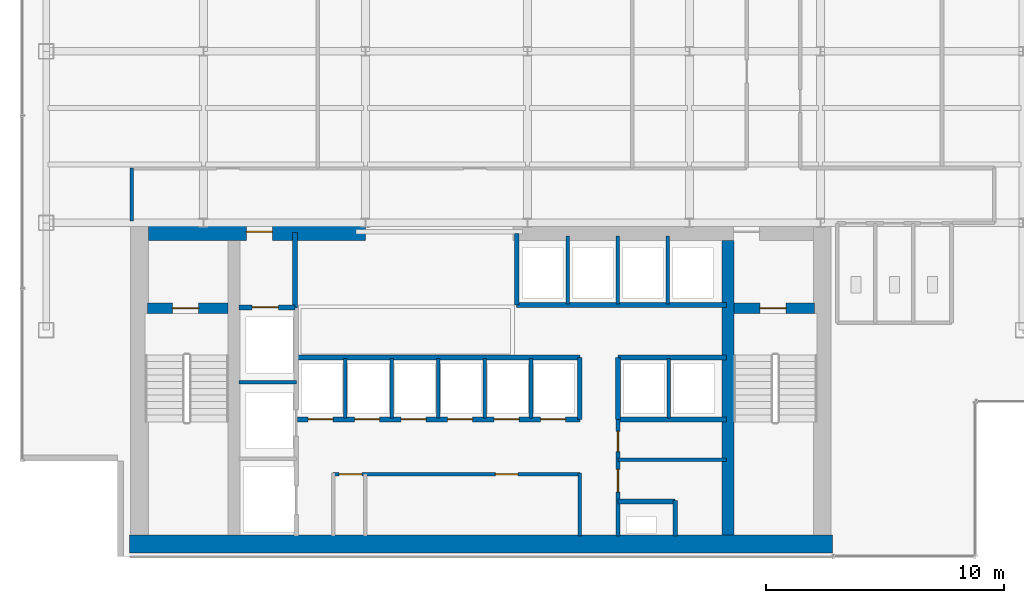
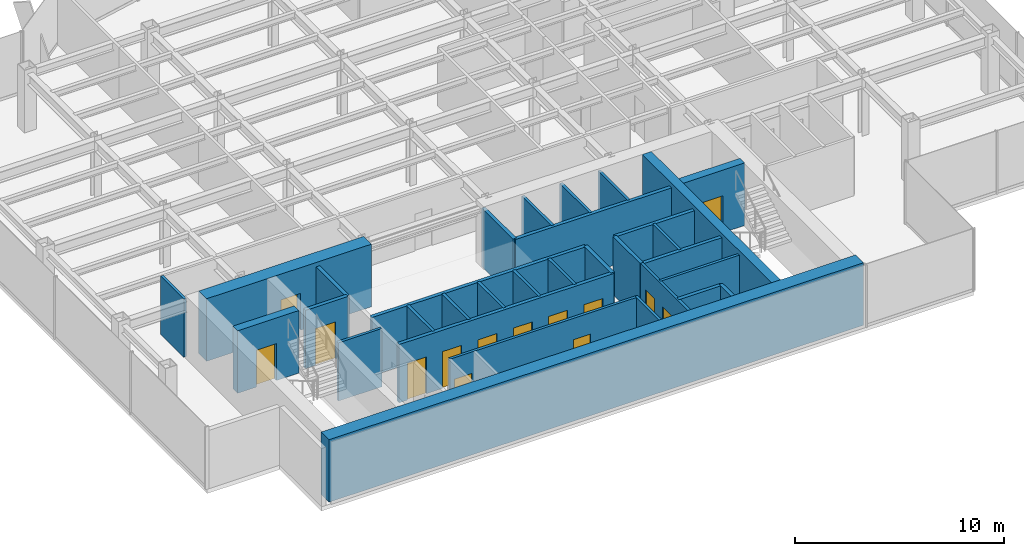
# One storey, part 20 of 25: 32 walls, 14 doors, 14 openings.
"""IFC4 building model written with IfcOpenShell, lengths in metres."""

from ifc_helpers import new_model, si_unit, derived_unit, direction, frame, frame_2d, origin, place, context, subcontext, project, spatial, rectangle, extrude, source, transform, mapped, material, layer, layer_set, type_object, element, fill, save


model = new_model("IFC4")

# Units and contexts
model_context = context("Model", 3, precision=1e-05, world=origin(), true_north=direction((0.0, 1.0)))
body_context = subcontext(model_context, "Body", "Model", "MODEL_VIEW")
ifc_project = project(units=[si_unit("LENGTHUNIT", "METRE"), si_unit("AREAUNIT", "SQUARE_METRE"), si_unit("VOLUMEUNIT", "CUBIC_METRE"), si_unit("PLANEANGLEUNIT", "RADIAN"), si_unit("MASSUNIT", "GRAM", prefix="KILO"), derived_unit("THERMALTRANSMITTANCEUNIT", [(si_unit("POWERUNIT", "WATT"), 1), (si_unit("LENGTHUNIT", "METRE"), -2), (si_unit("THERMODYNAMICTEMPERATUREUNIT", "KELVIN"), -1)])], contexts=[model_context])

# Site, building, storey
site_placement = place(None, origin())
site = spatial("IfcSite", under=ifc_project, at=site_placement, CompositionType="ELEMENT")
building_placement = place(site_placement, origin())
building = spatial("IfcBuilding", under=site, at=building_placement, Name="Skarnbrae Concourse Arena and Tower", CompositionType="ELEMENT")
storey_placement = place(building_placement, frame((0.0, 0.0, 166.14990234375)))
storey = spatial("IfcBuildingStorey", under=building, at=storey_placement, Name="L42", CompositionType="ELEMENT", Elevation=166.14990234375)

# Wall, opening, door
ifc_material_1 = material(Name="Concrete 50 MPa (C50/60)", Category="concrete")
ifc_layer_1 = layer(ifc_material_1, 0.449951171875)
ifc_layer_set_1 = layer_set([ifc_layer_1], Name="Concrete 50 MPa (C50/60)")
wall_type_1 = type_object("IfcWallType", Name="WALL-CORE-450-C50", PredefinedType="SHEAR", material=ifc_layer_set_1)
shared_shape_1 = source(origin(), body_context, "Body", "SweptSolid", [
    extrude(rectangle(XDim=3.389892578125, YDim=0.449951171875, at=frame_2d((1.69482421875, 0.0))), origin(), (0.0, 0.0, 1.0), 3.650146484375),
])
wall_1_placement = place(storey_placement, frame((5.25, 10.419921875, 0.0), z_axis=(0.0, 0.0, 1.0), x_axis=(1.0, 0.0, 0.0)))
wall_1 = element("IfcWall", 1, at=wall_1_placement, inside=storey, type_object=wall_type_1, Name="L42 Rear core shear wall CW-ST1-N", PredefinedType="SHEAR", context=body_context, shape_type="MappedRepresentation", body=[
    mapped(shared_shape_1, transform((0.0, 0.0, 0.0))),
])
opening_1_placement = place(wall_1_placement, frame((1.050048828125, 0.0, 0.0)))
opening_1 = element("IfcOpeningElement", 2, at=opening_1_placement, cuts=wall_1, Name="Opening DT-03", PredefinedType="OPENING", context=body_context, shape_type="SweptSolid", body=[
    extrude(rectangle(XDim=1.10009765625, YDim=2.14990234375, at=frame_2d((0.550048828125, 1.074951171875))), frame((0.0, 0.23486328125, 0.0), z_axis=(0.0, -1.0, 0.0), x_axis=(1.0, 0.0, 0.0)), (0.0, 0.0, 1.0), 0.469970703125),
])
ifc_material_2 = material(Name="Steel CSA G40.21 350W", Category="steel")
door_type_1 = type_object("IfcDoorType", Name="DOOR-FIRE-1100-90M", OperationType="NOTDEFINED", PredefinedType="DOOR", material=ifc_material_2)
shared_shape_2 = source(origin(), body_context, "Body", "SweptSolid", [
    extrude(rectangle(XDim=1.10009765625, YDim=2.14990234375, at=frame_2d((0.550048828125, 1.074951171875))), frame((0.0, 0.02490234375, 0.0), z_axis=(0.0, -1.0, 0.0), x_axis=(1.0, 0.0, 0.0)), (0.0, 0.0, 1.0), 0.050048828125),
])
door_1_placement = place(opening_1_placement, frame((1.10009765625, 0.0, 0.0), z_axis=(0.0, 0.0, 1.0), x_axis=(-1.0, 0.0, 0.0)))
door_1 = element("IfcDoor", 3, at=door_1_placement, inside=storey, type_object=door_type_1, Name="D-1293 Stair ST-1 Door", OperationType="SINGLE_SWING_LEFT", OverallHeight=2.14990234375, OverallWidth=1.10009765625, PredefinedType="DOOR", context=body_context, shape_type="MappedRepresentation", body=[
    mapped(shared_shape_2, transform((0.0, 0.0, 0.0))),
])
fill(opening_1, door_1)

wall_2_placement = place(storey_placement, frame((29.860107421875, 10.419921875, 0.0), z_axis=(0.0, 0.0, 1.0), x_axis=(1.0, 0.0, 0.0)))
wall_2 = element("IfcWall", 4, at=wall_2_placement, inside=storey, type_object=wall_type_1, Name="L42 Rear core shear wall CW-ST2-N", PredefinedType="SHEAR", context=body_context, shape_type="MappedRepresentation", body=[
    mapped(shared_shape_1, transform((0.0, 0.0, 0.0))),
])
opening_2_placement = place(wall_2_placement, frame((1.10009765625, 0.0, 0.0)))
opening_2 = element("IfcOpeningElement", 5, at=opening_2_placement, cuts=wall_2, Name="Opening DT-03", PredefinedType="OPENING", context=body_context, shape_type="SweptSolid", body=[
    extrude(rectangle(XDim=1.10009765625, YDim=2.14990234375, at=frame_2d((0.550048828125, 1.074951171875))), frame((0.0, 0.23486328125, 0.0), z_axis=(0.0, -1.0, 0.0), x_axis=(1.0, 0.0, 0.0)), (0.0, 0.0, 1.0), 0.469970703125),
])
door_2_placement = place(opening_2_placement, frame((1.10009765625, 0.0, 0.0), z_axis=(0.0, 0.0, 1.0), x_axis=(-1.0, 0.0, 0.0)))
door_2 = element("IfcDoor", 6, at=door_2_placement, inside=storey, type_object=door_type_1, Name="D-1294 Stair ST-2 Door", OperationType="SINGLE_SWING_RIGHT", OverallHeight=2.14990234375, OverallWidth=1.10009765625, PredefinedType="DOOR", context=body_context, shape_type="MappedRepresentation", body=[
    mapped(shared_shape_2, transform((0.0, 0.0, 0.0))),
])
fill(opening_2, door_2)

# Wall
ifc_material_3 = material(Name="Concrete 60 MPa (C60/75)", Category="concrete")
ifc_layer_2 = layer(ifc_material_3, 0.75)
ifc_layer_set_2 = layer_set([ifc_layer_2], Name="Concrete 60 MPa (C60/75)")
wall_type_2 = type_object("IfcWallType", Name="WALL-CORE-750-C60", PredefinedType="SHEAR", material=ifc_layer_set_2)
shared_shape_3 = source(origin(), body_context, "Body", "SweptSolid", [
    extrude(rectangle(XDim=29.5, YDim=0.75, at=frame_2d((14.75, 0.0))), origin(), (0.0, 0.0, 1.0), 3.650146484375),
])
wall_3_placement = place(storey_placement, frame((4.5, 0.52490234375, 0.0), z_axis=(0.0, 0.0, 1.0), x_axis=(1.0, 0.0, 0.0)))
element("IfcWall", 7, at=wall_3_placement, inside=storey, type_object=wall_type_2, Name="L42 Rear core shear wall CW-S", PredefinedType="SHEAR", context=body_context, shape_type="MappedRepresentation", body=[
    mapped(shared_shape_3, transform((0.0, 0.0, 0.0))),
])

# Wall, opening, door
shared_shape_4 = source(origin(), body_context, "Body", "SweptSolid", [
    extrude(rectangle(XDim=9.099853515625, YDim=0.75, at=frame_2d((4.5498046875, 0.0))), origin(), (0.0, 0.0, 1.0), 3.650146484375),
])
wall_4_placement = place(storey_placement, frame((5.300048828125, 13.625, 0.0), z_axis=(0.0, 0.0, 1.0), x_axis=(1.0, 0.0, 0.0)))
wall_4 = element("IfcWall", 8, at=wall_4_placement, inside=storey, type_object=wall_type_2, Name="L42 Rear core shear wall CW-NW", PredefinedType="SHEAR", context=body_context, shape_type="MappedRepresentation", body=[
    mapped(shared_shape_4, transform((0.0, 0.0, 0.0))),
])
opening_3_placement = place(wall_4_placement, frame((4.10009765625, 0.0, 0.0)))
opening_3 = element("IfcOpeningElement", 9, at=opening_3_placement, cuts=wall_4, Name="Opening DT-03", PredefinedType="OPENING", context=body_context, shape_type="SweptSolid", body=[
    extrude(rectangle(XDim=1.10009765625, YDim=2.14990234375, at=frame_2d((0.550048828125, 1.074951171875))), frame((0.0, 0.385009765625, 0.0), z_axis=(0.0, -1.0, 0.0), x_axis=(1.0, 0.0, 0.0)), (0.0, 0.0, 1.0), 0.77001953125),
])
door_3_placement = place(opening_3_placement, origin())
door_3 = element("IfcDoor", 10, at=door_3_placement, inside=storey, type_object=door_type_1, Name="D-1295 Firefighting Lobby Exit Door", OperationType="SINGLE_SWING_RIGHT", OverallHeight=2.14990234375, OverallWidth=1.10009765625, PredefinedType="DOOR", context=body_context, shape_type="MappedRepresentation", body=[
    mapped(shared_shape_2, transform((0.0, 0.0, 0.0))),
])
fill(opening_3, door_3)

# Walls
ifc_layer_3 = layer(ifc_material_3, 0.5)
ifc_layer_set_3 = layer_set([ifc_layer_3], Name="Concrete 60 MPa (C60/75)")
wall_type_3 = type_object("IfcWallType", Name="WALL-CORE-500-C60", PredefinedType="SHEAR", material=ifc_layer_set_3)
shared_shape_5 = source(origin(), body_context, "Body", "SweptSolid", [
    extrude(rectangle(XDim=12.35009765625, YDim=0.5, at=frame_2d((6.175048828125, 0.0))), origin(), (0.0, 0.0, 1.0), 3.650146484375),
])
wall_5_placement = place(storey_placement, frame((29.610107421875, 0.89990234375, 0.0), z_axis=(0.0, 0.0, 1.0), x_axis=(0.0, 1.0, 0.0)))
element("IfcWall", 11, at=wall_5_placement, inside=storey, type_object=wall_type_3, Name="L42 Rear core shear wall CW-WEB-E", PredefinedType="SHEAR", context=body_context, shape_type="MappedRepresentation", body=[
    mapped(shared_shape_5, transform((0.0, 0.0, 0.0))),
])
ifc_material_4 = material(Name="Gypsum board on cold-formed steel studs", Category="steel")
ifc_layer_4 = layer(ifc_material_4, 0.199951171875)
ifc_layer_set_4 = layer_set([ifc_layer_4], Name="Gypsum board on cold-formed steel studs")
wall_type_4 = type_object("IfcWallType", Name="WALL-PART-200-2HR", PredefinedType="PARTITIONING", material=ifc_layer_set_4)
shared_shape_6 = source(origin(), body_context, "Body", "SweptSolid", [
    extrude(rectangle(XDim=3.18017578125, YDim=0.199951171875, at=frame_2d((1.590087890625, 0.0))), origin(), (0.0, 0.0, 1.0), 3.400146484375),
])
wall_6_placement = place(storey_placement, frame((11.449951171875, 10.419921875, 0.0), z_axis=(0.0, 0.0, 1.0), x_axis=(0.0, 1.0, 0.0)))
element("IfcWall", 12, at=wall_6_placement, inside=storey, type_object=wall_type_4, Name="L42 Interior partition wall W-L42-FFL-E", PredefinedType="PARTITIONING", context=body_context, shape_type="MappedRepresentation", body=[
    mapped(shared_shape_6, transform((0.0, 0.0, 0.0))),
])

# Wall, opening, door
shared_shape_7 = source(origin(), body_context, "Body", "SweptSolid", [
    extrude(rectangle(XDim=2.349853515625, YDim=0.199951171875, at=frame_2d((1.1748046875, 0.0))), origin(), (0.0, 0.0, 1.0), 3.400146484375),
])
wall_7_placement = place(storey_placement, frame((9.10009765625, 10.449951171875, 0.0), z_axis=(0.0, 0.0, 1.0), x_axis=(1.0, 0.0, 0.0)))
wall_7 = element("IfcWall", 13, at=wall_7_placement, inside=storey, type_object=wall_type_4, Name="L42 Interior partition wall W-L42-FL1-N", PredefinedType="PARTITIONING", context=body_context, shape_type="MappedRepresentation", body=[
    mapped(shared_shape_7, transform((0.0, 0.0, 0.0))),
])
opening_4_placement = place(wall_7_placement, frame((0.550048828125, 0.0, 0.0)))
opening_4 = element("IfcOpeningElement", 14, at=opening_4_placement, cuts=wall_7, Name="Opening LD-01", PredefinedType="OPENING", context=body_context, shape_type="SweptSolid", body=[
    extrude(rectangle(XDim=1.10009765625, YDim=2.14990234375, at=frame_2d((0.550048828125, 1.074951171875))), frame((0.0, 0.10986328125, 0.0), z_axis=(0.0, -1.0, 0.0), x_axis=(1.0, 0.0, 0.0)), (0.0, 0.0, 1.0), 0.219970703125),
])
door_type_2 = type_object("IfcDoorType", Name="DOOR-LIFT-SLIDE-1100", OperationType="SLIDING_TO_LEFT", PredefinedType="DOOR", material=ifc_material_2)
door_4_placement = place(opening_4_placement, origin())
door_4 = element("IfcDoor", 15, at=door_4_placement, inside=storey, type_object=door_type_2, Name="D-1297 Firefighting Lift Landing Door FL-01", OperationType="SLIDING_TO_LEFT", OverallHeight=2.14990234375, OverallWidth=1.10009765625, PredefinedType="DOOR", context=body_context, shape_type="MappedRepresentation", body=[
    mapped(shared_shape_2, transform((0.0, 0.0, 0.0))),
])
fill(opening_4, door_4)

# Wall
ifc_layer_5 = layer(ifc_material_4, 0.14990234375)
ifc_layer_set_5 = layer_set([ifc_layer_5], Name="Gypsum board on cold-formed steel studs")
wall_type_5 = type_object("IfcWallType", Name="WALL-PART-150", PredefinedType="PARTITIONING", material=ifc_layer_set_5)
shared_shape_8 = source(origin(), body_context, "Body", "SweptSolid", [
    extrude(rectangle(XDim=2.39990234375, YDim=0.14990234375, at=frame_2d((1.199951171875, 0.0))), origin(), (0.0, 0.0, 1.0), 3.400146484375),
])
wall_8_placement = place(storey_placement, frame((9.10009765625, 7.300048828125, 0.0), z_axis=(0.0, 0.0, 1.0), x_axis=(1.0, 0.0, 0.0)))
element("IfcWall", 16, at=wall_8_placement, inside=storey, type_object=wall_type_5, Name="L42 Interior partition wall W-L42-FL-D2", PredefinedType="PARTITIONING", context=body_context, shape_type="MappedRepresentation", body=[
    mapped(shared_shape_8, transform((0.0, 0.0, 0.0))),
])

# Wall, openings, doors
shared_shape_9 = source(origin(), body_context, "Body", "SweptSolid", [
    extrude(rectangle(XDim=11.849853515625, YDim=0.199951171875, at=frame_2d((5.9248046875, 0.0))), origin(), (0.0, 0.0, 1.0), 3.400146484375),
])
wall_9_placement = place(storey_placement, frame((11.550048828125, 5.75, 0.0), z_axis=(0.0, 0.0, 1.0), x_axis=(1.0, 0.0, 0.0)))
wall_9 = element("IfcWall", 17, at=wall_9_placement, inside=storey, type_object=wall_type_4, Name="L42 Interior partition wall W-L42-B2-S", PredefinedType="PARTITIONING", context=body_context, shape_type="MappedRepresentation", body=[
    mapped(shared_shape_9, transform((0.0, 0.0, 0.0))),
])
opening_5_placement = place(wall_9_placement, frame((0.449951171875, 0.0, 0.0)))
opening_5 = element("IfcOpeningElement", 18, at=opening_5_placement, cuts=wall_9, Name="Opening LD-03", PredefinedType="OPENING", context=body_context, shape_type="SweptSolid", body=[
    extrude(rectangle(XDim=1.050048828125, YDim=2.14990234375, at=frame_2d((0.52490234375, 1.074951171875))), frame((0.0, 0.10986328125, 0.0), z_axis=(0.0, -1.0, 0.0), x_axis=(1.0, 0.0, 0.0)), (0.0, 0.0, 1.0), 0.219970703125),
])
opening_6_placement = place(wall_9_placement, frame((2.39990234375, 0.0, 0.0)))
opening_6 = element("IfcOpeningElement", 19, at=opening_6_placement, cuts=wall_9, Name="Opening LD-03", PredefinedType="OPENING", context=body_context, shape_type="SweptSolid", body=[
    extrude(rectangle(XDim=1.050048828125, YDim=2.14990234375, at=frame_2d((0.52490234375, 1.074951171875))), frame((0.0, 0.10986328125, 0.0), z_axis=(0.0, -1.0, 0.0), x_axis=(1.0, 0.0, 0.0)), (0.0, 0.0, 1.0), 0.219970703125),
])
opening_7_placement = place(wall_9_placement, frame((4.35009765625, 0.0, 0.0)))
opening_7 = element("IfcOpeningElement", 20, at=opening_7_placement, cuts=wall_9, Name="Opening LD-03", PredefinedType="OPENING", context=body_context, shape_type="SweptSolid", body=[
    extrude(rectangle(XDim=1.050048828125, YDim=2.14990234375, at=frame_2d((0.52490234375, 1.074951171875))), frame((0.0, 0.10986328125, 0.0), z_axis=(0.0, -1.0, 0.0), x_axis=(1.0, 0.0, 0.0)), (0.0, 0.0, 1.0), 0.219970703125),
])
opening_8_placement = place(wall_9_placement, frame((6.300048828125, 0.0, 0.0)))
opening_8 = element("IfcOpeningElement", 21, at=opening_8_placement, cuts=wall_9, Name="Opening LD-03", PredefinedType="OPENING", context=body_context, shape_type="SweptSolid", body=[
    extrude(rectangle(XDim=1.050048828125, YDim=2.14990234375, at=frame_2d((0.52490234375, 1.074951171875))), frame((0.0, 0.10986328125, 0.0), z_axis=(0.0, -1.0, 0.0), x_axis=(1.0, 0.0, 0.0)), (0.0, 0.0, 1.0), 0.219970703125),
])
opening_9_placement = place(wall_9_placement, frame((8.25, 0.0, 0.0)))
opening_9 = element("IfcOpeningElement", 22, at=opening_9_placement, cuts=wall_9, Name="Opening LD-03", PredefinedType="OPENING", context=body_context, shape_type="SweptSolid", body=[
    extrude(rectangle(XDim=1.050048828125, YDim=2.14990234375, at=frame_2d((0.52490234375, 1.074951171875))), frame((0.0, 0.10986328125, 0.0), z_axis=(0.0, -1.0, 0.0), x_axis=(1.0, 0.0, 0.0)), (0.0, 0.0, 1.0), 0.219970703125),
])
opening_10_placement = place(wall_9_placement, frame((10.199951171875, 0.0, 0.0)))
opening_10 = element("IfcOpeningElement", 23, at=opening_10_placement, cuts=wall_9, Name="Opening LD-03", PredefinedType="OPENING", context=body_context, shape_type="SweptSolid", body=[
    extrude(rectangle(XDim=1.050048828125, YDim=2.14990234375, at=frame_2d((0.52490234375, 1.074951171875))), frame((0.0, 0.10986328125, 0.0), z_axis=(0.0, -1.0, 0.0), x_axis=(1.0, 0.0, 0.0)), (0.0, 0.0, 1.0), 0.219970703125),
])
ifc_material_5 = material(Name="Bronze anodised aluminium 6063-T6", Category="aluminium")
door_type_3 = type_object("IfcDoorType", Name="DOOR-LIFT-SLIDE-1050", OperationType="SLIDING_TO_LEFT", PredefinedType="DOOR", material=ifc_material_5)
shared_shape_10 = source(origin(), body_context, "Body", "SweptSolid", [
    extrude(rectangle(XDim=1.050048828125, YDim=2.14990234375, at=frame_2d((0.52490234375, 1.074951171875))), frame((0.0, 0.02490234375, 0.0), z_axis=(0.0, -1.0, 0.0), x_axis=(1.0, 0.0, 0.0)), (0.0, 0.0, 1.0), 0.050048828125),
])
door_5_placement = place(opening_5_placement, frame((1.050048828125, 0.0, 0.0), z_axis=(0.0, 0.0, 1.0), x_axis=(-1.0, 0.0, 0.0)))
door_5 = element("IfcDoor", 24, at=door_5_placement, inside=storey, type_object=door_type_3, Name="D-1302 Passenger Lift Landing Door PL-2A", OperationType="SLIDING_TO_LEFT", OverallHeight=2.14990234375, OverallWidth=1.050048828125, PredefinedType="DOOR", context=body_context, shape_type="MappedRepresentation", body=[
    mapped(shared_shape_10, transform((0.0, 0.0, 0.0))),
])
fill(opening_5, door_5)
door_6_placement = place(opening_6_placement, frame((1.050048828125, 0.0, 0.0), z_axis=(0.0, 0.0, 1.0), x_axis=(-1.0, 0.0, 0.0)))
door_6 = element("IfcDoor", 25, at=door_6_placement, inside=storey, type_object=door_type_3, Name="D-1303 Passenger Lift Landing Door PL-2B", OperationType="SLIDING_TO_LEFT", OverallHeight=2.14990234375, OverallWidth=1.050048828125, PredefinedType="DOOR", context=body_context, shape_type="MappedRepresentation", body=[
    mapped(shared_shape_10, transform((0.0, 0.0, 0.0))),
])
fill(opening_6, door_6)
door_7_placement = place(opening_7_placement, frame((1.050048828125, 0.0, 0.0), z_axis=(0.0, 0.0, 1.0), x_axis=(-1.0, 0.0, 0.0)))
door_7 = element("IfcDoor", 26, at=door_7_placement, inside=storey, type_object=door_type_3, Name="D-1304 Passenger Lift Landing Door PL-2C", OperationType="SLIDING_TO_LEFT", OverallHeight=2.14990234375, OverallWidth=1.050048828125, PredefinedType="DOOR", context=body_context, shape_type="MappedRepresentation", body=[
    mapped(shared_shape_10, transform((0.0, 0.0, 0.0))),
])
fill(opening_7, door_7)
door_8_placement = place(opening_8_placement, frame((1.050048828125, 0.0, 0.0), z_axis=(0.0, 0.0, 1.0), x_axis=(-1.0, 0.0, 0.0)))
door_8 = element("IfcDoor", 27, at=door_8_placement, inside=storey, type_object=door_type_3, Name="D-1305 Passenger Lift Landing Door PL-2D", OperationType="SLIDING_TO_LEFT", OverallHeight=2.14990234375, OverallWidth=1.050048828125, PredefinedType="DOOR", context=body_context, shape_type="MappedRepresentation", body=[
    mapped(shared_shape_10, transform((0.0, 0.0, 0.0))),
])
fill(opening_8, door_8)
door_9_placement = place(opening_9_placement, frame((1.050048828125, 0.0, 0.0), z_axis=(0.0, 0.0, 1.0), x_axis=(-1.0, 0.0, 0.0)))
door_9 = element("IfcDoor", 28, at=door_9_placement, inside=storey, type_object=door_type_3, Name="D-1306 Passenger Lift Landing Door PL-2E", OperationType="SLIDING_TO_LEFT", OverallHeight=2.14990234375, OverallWidth=1.050048828125, PredefinedType="DOOR", context=body_context, shape_type="MappedRepresentation", body=[
    mapped(shared_shape_10, transform((0.0, 0.0, 0.0))),
])
fill(opening_9, door_9)
door_10_placement = place(opening_10_placement, frame((1.050048828125, 0.0, 0.0), z_axis=(0.0, 0.0, 1.0), x_axis=(-1.0, 0.0, 0.0)))
door_10 = element("IfcDoor", 29, at=door_10_placement, inside=storey, type_object=door_type_3, Name="D-1307 Passenger Lift Landing Door PL-2F", OperationType="SLIDING_TO_LEFT", OverallHeight=2.14990234375, OverallWidth=1.050048828125, PredefinedType="DOOR", context=body_context, shape_type="MappedRepresentation", body=[
    mapped(shared_shape_10, transform((0.0, 0.0, 0.0))),
])
fill(opening_10, door_10)

# Walls
wall_10_placement = place(storey_placement, frame((11.550048828125, 8.35009765625, 0.0), z_axis=(0.0, 0.0, 1.0), x_axis=(1.0, 0.0, 0.0)))
element("IfcWall", 30, at=wall_10_placement, inside=storey, type_object=wall_type_4, Name="L42 Interior partition wall W-L42-B2-N", PredefinedType="PARTITIONING", context=body_context, shape_type="MappedRepresentation", body=[
    mapped(shared_shape_9, transform((0.0, 0.0, 0.0))),
])
shared_shape_11 = source(origin(), body_context, "Body", "SweptSolid", [
    extrude(rectangle(XDim=2.60009765625, YDim=0.199951171875, at=frame_2d((1.300048828125, 0.0))), origin(), (0.0, 0.0, 1.0), 3.400146484375),
])
for number, where, z_axis, x_axis, name in (
    (31, (23.39990234375, 5.75, 0.0), (0.0, 0.0, 1.0), (0.0, 1.0, 0.0), "L42 Interior partition wall W-L42-B2-E"),
    (32, (25.0, 5.75, 0.0), (0.0, 0.0, 1.0), (0.0, 1.0, 0.0), "L42 Interior partition wall W-L42-B3S-W"),
):
    element("IfcWall", number, at=place(storey_placement, frame(where, z_axis=z_axis, x_axis=x_axis)), inside=storey, type_object=wall_type_4, Name=name, PredefinedType="PARTITIONING", context=body_context, shape_type="MappedRepresentation", body=[
        mapped(shared_shape_11, transform((0.0, 0.0, 0.0))),
    ])
shared_shape_12 = source(origin(), body_context, "Body", "SweptSolid", [
    extrude(rectangle(XDim=2.5, YDim=0.14990234375, at=frame_2d((1.25, 0.0))), origin(), (0.0, 0.0, 1.0), 3.400146484375),
])
for number, where, z_axis, x_axis, name in (
    (33, (13.550048828125, 5.800048828125, 0.0), (0.0, 0.0, 1.0), (0.0, 1.0, 0.0), "L42 Interior partition wall W-L42-B2-P1"),
    (34, (15.5, 5.800048828125, 0.0), (0.0, 0.0, 1.0), (0.0, 1.0, 0.0), "L42 Interior partition wall W-L42-B2-P2"),
    (35, (17.449951171875, 5.800048828125, 0.0), (0.0, 0.0, 1.0), (0.0, 1.0, 0.0), "L42 Interior partition wall W-L42-B2-P3"),
    (36, (19.39990234375, 5.800048828125, 0.0), (0.0, 0.0, 1.0), (0.0, 1.0, 0.0), "L42 Interior partition wall W-L42-B2-P4"),
    (37, (21.35009765625, 5.800048828125, 0.0), (0.0, 0.0, 1.0), (0.0, 1.0, 0.0), "L42 Interior partition wall W-L42-B2-P5"),
    (38, (27.139892578125, 5.800048828125, 0.0), (0.0, 0.0, 1.0), (0.0, 1.0, 0.0), "L42 Interior partition wall W-L42-B3S-P1"),
):
    element("IfcWall", number, at=place(storey_placement, frame(where, z_axis=z_axis, x_axis=x_axis)), inside=storey, type_object=wall_type_5, Name=name, PredefinedType="PARTITIONING", context=body_context, shape_type="MappedRepresentation", body=[
        mapped(shared_shape_12, transform((0.0, 0.0, 0.0))),
    ])
shared_shape_13 = source(origin(), body_context, "Body", "SweptSolid", [
    extrude(rectangle(XDim=8.800048828125, YDim=0.199951171875, at=frame_2d((4.39990234375, 0.0))), origin(), (0.0, 0.0, 1.0), 3.400146484375),
])
wall_11_placement = place(storey_placement, frame((20.75, 10.550048828125, 0.0), z_axis=(0.0, 0.0, 1.0), x_axis=(1.0, 0.0, 0.0)))
element("IfcWall", 39, at=wall_11_placement, inside=storey, type_object=wall_type_4, Name="L42 Interior partition wall W-L42-B3N-S", PredefinedType="PARTITIONING", context=body_context, shape_type="MappedRepresentation", body=[
    mapped(shared_shape_13, transform((0.0, 0.0, 0.0))),
])
shared_shape_14 = source(origin(), body_context, "Body", "SweptSolid", [
    extrude(rectangle(XDim=3.0, YDim=0.199951171875, at=frame_2d((1.5, 0.0))), origin(), (0.0, 0.0, 1.0), 3.400146484375),
])
wall_12_placement = place(storey_placement, frame((20.75, 10.550048828125, 0.0), z_axis=(0.0, 0.0, 1.0), x_axis=(0.0, 1.0, 0.0)))
element("IfcWall", 40, at=wall_12_placement, inside=storey, type_object=wall_type_4, Name="L42 Interior partition wall W-L42-B3N-W", PredefinedType="PARTITIONING", context=body_context, shape_type="MappedRepresentation", body=[
    mapped(shared_shape_14, transform((0.0, 0.0, 0.0))),
])
shared_shape_15 = source(origin(), body_context, "Body", "SweptSolid", [
    extrude(rectangle(XDim=2.849853515625, YDim=0.14990234375, at=frame_2d((1.4248046875, 0.0))), origin(), (0.0, 0.0, 1.0), 3.400146484375),
])
for number, where, z_axis, x_axis, name in (
    (41, (22.889892578125, 10.60009765625, 0.0), (0.0, 0.0, 1.0), (0.0, 1.0, 0.0), "L42 Interior partition wall W-L42-B3N-P1"),
    (42, (24.989990234375, 10.60009765625, 0.0), (0.0, 0.0, 1.0), (0.0, 1.0, 0.0), "L42 Interior partition wall W-L42-B3N-P2"),
    (43, (27.090087890625, 10.60009765625, 0.0), (0.0, 0.0, 1.0), (0.0, 1.0, 0.0), "L42 Interior partition wall W-L42-B3N-P3"),
):
    element("IfcWall", number, at=place(storey_placement, frame(where, z_axis=z_axis, x_axis=x_axis)), inside=storey, type_object=wall_type_5, Name=name, PredefinedType="PARTITIONING", context=body_context, shape_type="MappedRepresentation", body=[
        mapped(shared_shape_15, transform((0.0, 0.0, 0.0))),
    ])
shared_shape_16 = source(origin(), body_context, "Body", "SweptSolid", [
    extrude(rectangle(XDim=4.550048828125, YDim=0.199951171875, at=frame_2d((2.27490234375, 0.0))), origin(), (0.0, 0.0, 1.0), 3.400146484375),
])
for number, where, z_axis, x_axis, name in (
    (44, (25.0, 8.35009765625, 0.0), (0.0, 0.0, 1.0), (1.0, 0.0, 0.0), "L42 Interior partition wall W-L42-B3S-N"),
    (45, (25.0, 5.75, 0.0), (0.0, 0.0, 1.0), (1.0, 0.0, 0.0), "L42 Interior partition wall W-L42-B3S-S"),
):
    element("IfcWall", number, at=place(storey_placement, frame(where, z_axis=z_axis, x_axis=x_axis)), inside=storey, type_object=wall_type_4, Name=name, PredefinedType="PARTITIONING", context=body_context, shape_type="MappedRepresentation", body=[
        mapped(shared_shape_16, transform((0.0, 0.0, 0.0))),
    ])

# Wall, openings, doors
ifc_layer_6 = layer(ifc_material_4, 0.14990234375)
ifc_layer_set_6 = layer_set([ifc_layer_6], Name="Gypsum board on cold-formed steel studs")
wall_type_6 = type_object("IfcWallType", Name="WALL-PART-150-1HR", PredefinedType="PARTITIONING", material=ifc_layer_set_6)
shared_shape_17 = source(origin(), body_context, "Body", "SweptSolid", [
    extrude(rectangle(XDim=4.89990234375, YDim=0.14990234375, at=frame_2d((2.449951171875, 0.0))), origin(), (0.0, 0.0, 1.0), 3.400146484375),
])
wall_13_placement = place(storey_placement, frame((25.0, 0.85009765625, 0.0), z_axis=(0.0, 0.0, 1.0), x_axis=(0.0, 1.0, 0.0)))
wall_13 = element("IfcWall", 46, at=wall_13_placement, inside=storey, type_object=wall_type_6, Name="L42 Interior partition wall W-L42-CSV-W", PredefinedType="PARTITIONING", context=body_context, shape_type="MappedRepresentation", body=[
    mapped(shared_shape_17, transform((0.0, 0.0, 0.0))),
])
opening_11_placement = place(wall_13_placement, frame((1.85009765625, 0.0, 0.0)))
opening_11 = element("IfcOpeningElement", 47, at=opening_11_placement, cuts=wall_13, Name="Opening DT-04", PredefinedType="OPENING", context=body_context, shape_type="SweptSolid", body=[
    extrude(rectangle(XDim=0.949951171875, YDim=2.14990234375, at=frame_2d((0.47509765625, 1.074951171875))), frame((0.0, 0.0849609375, 0.0), z_axis=(0.0, -1.0, 0.0), x_axis=(1.0, 0.0, 0.0)), (0.0, 0.0, 1.0), 0.169921875),
])
opening_12_placement = place(wall_13_placement, frame((3.550048828125, 0.0, 0.0)))
opening_12 = element("IfcOpeningElement", 48, at=opening_12_placement, cuts=wall_13, Name="Opening DT-08", PredefinedType="OPENING", context=body_context, shape_type="SweptSolid", body=[
    extrude(rectangle(XDim=0.85009765625, YDim=2.14990234375, at=frame_2d((0.425048828125, 1.074951171875))), frame((0.0, 0.0849609375, 0.0), z_axis=(0.0, -1.0, 0.0), x_axis=(1.0, 0.0, 0.0)), (0.0, 0.0, 1.0), 0.169921875),
])
door_type_4 = type_object("IfcDoorType", Name="DOOR-INT-950-45M", OperationType="NOTDEFINED", PredefinedType="DOOR", material=ifc_material_2)
shared_shape_18 = source(origin(), body_context, "Body", "SweptSolid", [
    extrude(rectangle(XDim=0.949951171875, YDim=2.14990234375, at=frame_2d((0.47509765625, 1.074951171875))), frame((0.0, 0.02490234375, 0.0), z_axis=(0.0, -1.0, 0.0), x_axis=(1.0, 0.0, 0.0)), (0.0, 0.0, 1.0), 0.050048828125),
])
door_11_placement = place(opening_11_placement, origin())
door_11 = element("IfcDoor", 49, at=door_11_placement, inside=storey, type_object=door_type_4, Name="D-1308 Core Staff WC Door", OperationType="SINGLE_SWING_RIGHT", OverallHeight=2.14990234375, OverallWidth=0.949951171875, PredefinedType="DOOR", context=body_context, shape_type="MappedRepresentation", body=[
    mapped(shared_shape_18, transform((0.0, 0.0, 0.0))),
])
fill(opening_11, door_11)
door_type_5 = type_object("IfcDoorType", Name="DOOR-INT-850-45M", OperationType="NOTDEFINED", PredefinedType="DOOR", material=ifc_material_2)
shared_shape_19 = source(origin(), body_context, "Body", "SweptSolid", [
    extrude(rectangle(XDim=0.85009765625, YDim=2.14990234375, at=frame_2d((0.425048828125, 1.074951171875))), frame((0.0, 0.02490234375, 0.0), z_axis=(0.0, -1.0, 0.0), x_axis=(1.0, 0.0, 0.0)), (0.0, 0.0, 1.0), 0.050048828125),
])
door_12_placement = place(opening_12_placement, origin())
door_12 = element("IfcDoor", 50, at=door_12_placement, inside=storey, type_object=door_type_5, Name="D-1309 IT Patch Room Door", OperationType="SINGLE_SWING_LEFT", OverallHeight=2.14990234375, OverallWidth=0.85009765625, PredefinedType="DOOR", context=body_context, shape_type="MappedRepresentation", body=[
    mapped(shared_shape_19, transform((0.0, 0.0, 0.0))),
])
fill(opening_12, door_12)

# Walls
shared_shape_20 = source(origin(), body_context, "Body", "SweptSolid", [
    extrude(rectangle(XDim=2.39990234375, YDim=0.199951171875, at=frame_2d((1.199951171875, 0.0))), origin(), (0.0, 0.0, 1.0), 3.400146484375),
])
wall_14_placement = place(storey_placement, frame((25.0, 2.300048828125, 0.0), z_axis=(0.0, 0.0, 1.0), x_axis=(1.0, 0.0, 0.0)))
element("IfcWall", 51, at=wall_14_placement, inside=storey, type_object=wall_type_4, Name="L42 Interior partition wall W-L42-MEP-N", PredefinedType="PARTITIONING", context=body_context, shape_type="MappedRepresentation", body=[
    mapped(shared_shape_20, transform((0.0, 0.0, 0.0))),
])
shared_shape_21 = source(origin(), body_context, "Body", "SweptSolid", [
    extrude(rectangle(XDim=1.5, YDim=0.199951171875, at=frame_2d((0.75, 0.0))), origin(), (0.0, 0.0, 1.0), 3.400146484375),
])
wall_15_placement = place(storey_placement, frame((27.39990234375, 0.85009765625, 0.0), z_axis=(0.0, 0.0, 1.0), x_axis=(0.0, 1.0, 0.0)))
element("IfcWall", 52, at=wall_15_placement, inside=storey, type_object=wall_type_4, Name="L42 Interior partition wall W-L42-MEP-E", PredefinedType="PARTITIONING", context=body_context, shape_type="MappedRepresentation", body=[
    mapped(shared_shape_21, transform((0.0, 0.0, 0.0))),
])
shared_shape_22 = source(origin(), body_context, "Body", "SweptSolid", [
    extrude(rectangle(XDim=4.550048828125, YDim=0.14990234375, at=frame_2d((2.27490234375, 0.0))), origin(), (0.0, 0.0, 1.0), 3.400146484375),
])
wall_16_placement = place(storey_placement, frame((25.0, 4.050048828125, 0.0), z_axis=(0.0, 0.0, 1.0), x_axis=(1.0, 0.0, 0.0)))
element("IfcWall", 53, at=wall_16_placement, inside=storey, type_object=wall_type_5, Name="L42 Interior partition wall W-L42-CSV-H2", PredefinedType="PARTITIONING", context=body_context, shape_type="MappedRepresentation", body=[
    mapped(shared_shape_22, transform((0.0, 0.0, 0.0))),
])
shared_shape_23 = source(origin(), body_context, "Body", "SweptSolid", [
    extrude(rectangle(XDim=2.64990234375, YDim=0.14990234375, at=frame_2d((1.324951171875, 0.0))), origin(), (0.0, 0.0, 1.0), 3.400146484375),
])
wall_17_placement = place(storey_placement, frame((23.39990234375, 0.85009765625, 0.0), z_axis=(0.0, 0.0, 1.0), x_axis=(0.0, 1.0, 0.0)))
element("IfcWall", 54, at=wall_17_placement, inside=storey, type_object=wall_type_6, Name="L42 Interior partition wall W-L42-B1M-E", PredefinedType="PARTITIONING", context=body_context, shape_type="MappedRepresentation", body=[
    mapped(shared_shape_23, transform((0.0, 0.0, 0.0))),
])

# Wall, openings, doors
shared_shape_24 = source(origin(), body_context, "Body", "SweptSolid", [
    extrude(rectangle(XDim=10.349853515625, YDim=0.14990234375, at=frame_2d((5.1748046875, 0.0))), origin(), (0.0, 0.0, 1.0), 3.400146484375),
])
wall_18_placement = place(storey_placement, frame((13.050048828125, 3.449951171875, 0.0), z_axis=(0.0, 0.0, 1.0), x_axis=(1.0, 0.0, 0.0)))
wall_18 = element("IfcWall", 55, at=wall_18_placement, inside=storey, type_object=wall_type_6, Name="L42 Interior partition wall W-L42-B1M-N", PredefinedType="PARTITIONING", context=body_context, shape_type="MappedRepresentation", body=[
    mapped(shared_shape_24, transform((0.0, 0.0, 0.0))),
])
opening_13_placement = place(wall_18_placement, frame((0.25, 0.0, 0.0)))
opening_13 = element("IfcOpeningElement", 56, at=opening_13_placement, cuts=wall_18, Name="Opening DT-04", PredefinedType="OPENING", context=body_context, shape_type="SweptSolid", body=[
    extrude(rectangle(XDim=0.949951171875, YDim=2.14990234375, at=frame_2d((0.47509765625, 1.074951171875))), frame((0.0, 0.0849609375, 0.0), z_axis=(0.0, -1.0, 0.0), x_axis=(1.0, 0.0, 0.0)), (0.0, 0.0, 1.0), 0.169921875),
])
opening_14_placement = place(wall_18_placement, frame((6.800048828125, 0.0, 0.0)))
opening_14 = element("IfcOpeningElement", 57, at=opening_14_placement, cuts=wall_18, Name="Opening DT-04", PredefinedType="OPENING", context=body_context, shape_type="SweptSolid", body=[
    extrude(rectangle(XDim=0.949951171875, YDim=2.14990234375, at=frame_2d((0.47509765625, 1.074951171875))), frame((0.0, 0.0849609375, 0.0), z_axis=(0.0, -1.0, 0.0), x_axis=(1.0, 0.0, 0.0)), (0.0, 0.0, 1.0), 0.169921875),
])
door_13_placement = place(opening_13_placement, origin())
door_13 = element("IfcDoor", 58, at=door_13_placement, inside=storey, type_object=door_type_4, Name="D-1300 First Aid Room Door", OperationType="SINGLE_SWING_LEFT", OverallHeight=2.14990234375, OverallWidth=0.949951171875, PredefinedType="DOOR", context=body_context, shape_type="MappedRepresentation", body=[
    mapped(shared_shape_18, transform((0.0, 0.0, 0.0))),
])
fill(opening_13, door_13)
door_14_placement = place(opening_14_placement, origin())
door_14 = element("IfcDoor", 59, at=door_14_placement, inside=storey, type_object=door_type_4, Name="D-1301 Archive Room Door", OperationType="SINGLE_SWING_RIGHT", OverallHeight=2.14990234375, OverallWidth=0.949951171875, PredefinedType="DOOR", context=body_context, shape_type="MappedRepresentation", body=[
    mapped(shared_shape_18, transform((0.0, 0.0, 0.0))),
])
fill(opening_14, door_14)

# Wall
shared_shape_25 = source(origin(), body_context, "Body", "SweptSolid", [
    extrude(rectangle(XDim=2.219970703125, YDim=0.14990234375, at=frame_2d((1.10986328125, 0.0))), origin(), (0.0, 0.0, 1.0), 3.400146484375),
])
wall_19_placement = place(storey_placement, frame((4.60009765625, 14.080078125, 0.0), z_axis=(0.0, 0.0, 1.0), x_axis=(0.0, 1.0, 0.0)))
element("IfcWall", 60, at=wall_19_placement, inside=storey, type_object=wall_type_6, Name="L42 Interior partition wall W-L42-COR-01", PredefinedType="PARTITIONING", context=body_context, shape_type="MappedRepresentation", body=[
    mapped(shared_shape_25, transform((0.0, 0.0, 0.0))),
])

save(model, "model.ifc")
